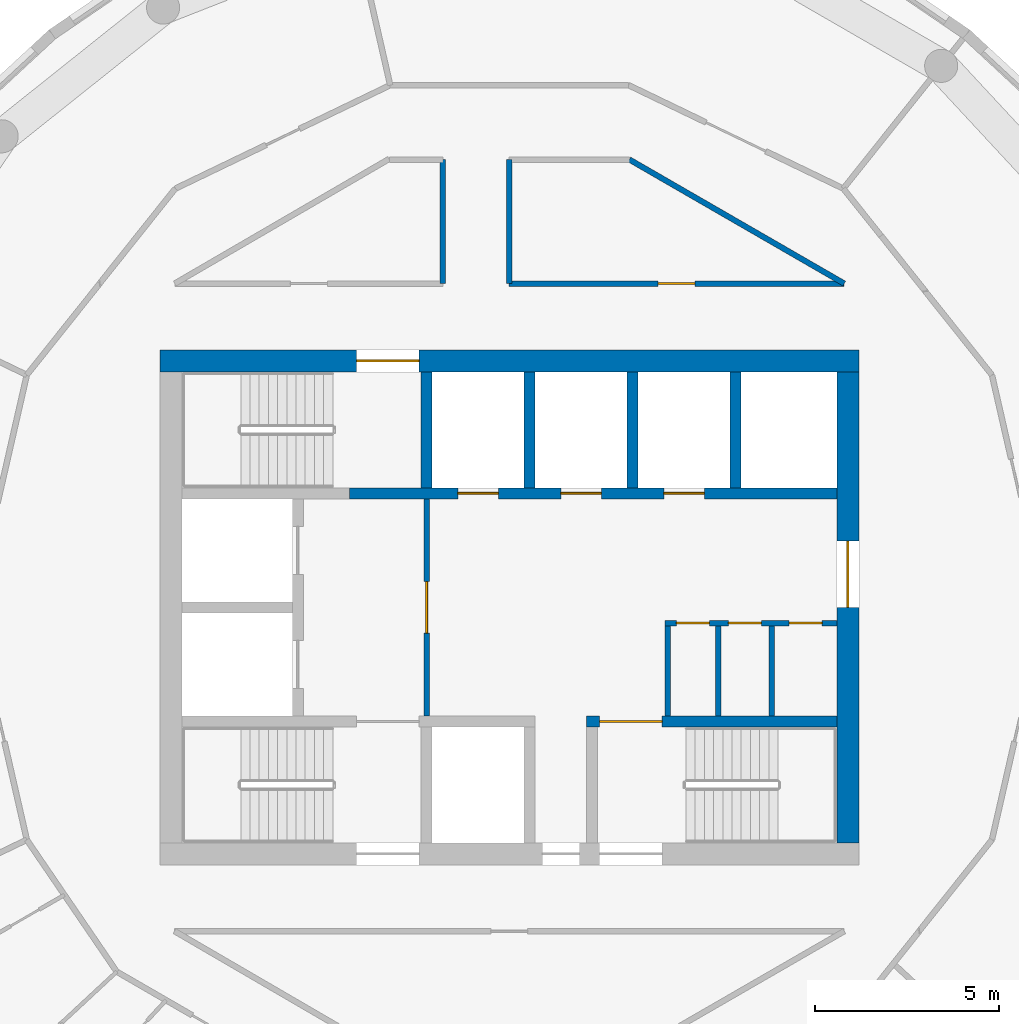
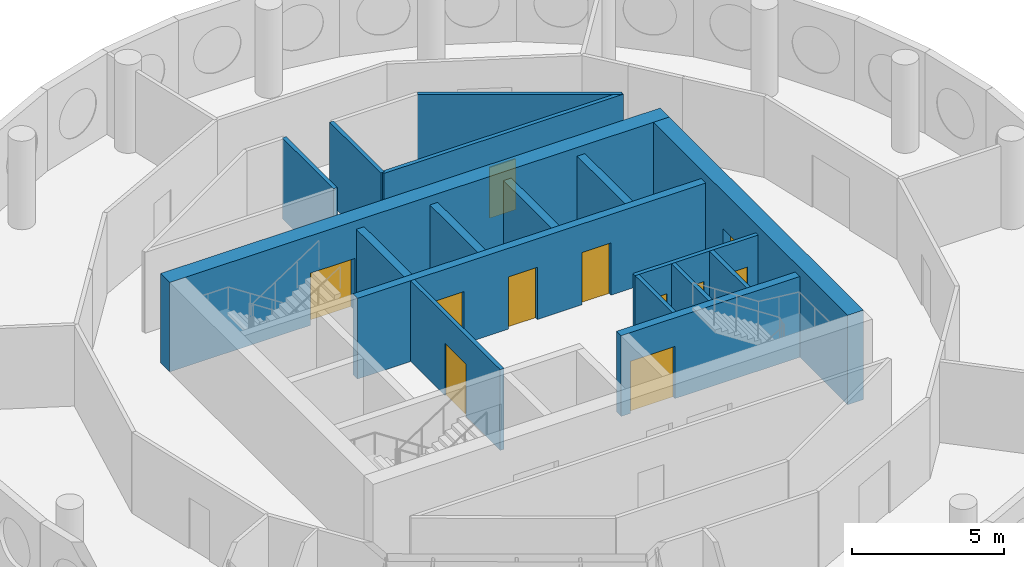
# One storey, part 7 of 12: 17 walls, 11 doors, 11 openings.
"""IFC4 building model written with IfcOpenShell, lengths in metres."""

from ifc_helpers import new_model, si_unit, direction, frame, frame_2d, origin, place, context, subcontext, project, spatial, rectangle, extrude, material, layer, layer_set, type_object, element, fill, save


model = new_model("IFC4")

# Units and contexts
model_context = context("Model", 3, precision=1e-05, world=origin(), true_north=direction((0.0, 1.0)))
body_context = subcontext(model_context, "Body", "Model", "MODEL_VIEW")
ifc_project = project(units=[si_unit("LENGTHUNIT", "METRE"), si_unit("AREAUNIT", "SQUARE_METRE"), si_unit("VOLUMEUNIT", "CUBIC_METRE"), si_unit("PLANEANGLEUNIT", "RADIAN"), si_unit("MASSUNIT", "GRAM", prefix="KILO")], contexts=[model_context])

# Site, building, storey
site_placement = place(None, origin())
site = spatial("IfcSite", under=ifc_project, at=site_placement, CompositionType="ELEMENT")
building_placement = place(site_placement, origin())
building = spatial("IfcBuilding", under=site, at=building_placement, Name="Tracery Tower", CompositionType="ELEMENT")
storey_placement = place(building_placement, frame((0.0, 0.0, 327.0)))
storey = spatial("IfcBuildingStorey", under=building, at=storey_placement, Name="L85", CompositionType="ELEMENT", Elevation=327.0)

# Wall, opening, door
ifc_material_1 = material(Name="Plasterboard on steel studs", Category="steel")
ifc_layer_1 = layer(ifc_material_1, 0.14990234375)
ifc_layer_set_1 = layer_set([ifc_layer_1], Name="Core lobby partition 150")
wall_type_1 = type_object("IfcWallType", Name="Core lobby partition 150", PredefinedType="SOLIDWALL", material=ifc_layer_set_1)
wall_1_placement = place(storey_placement, frame((-2.25, -2.949951171875, 0.0), z_axis=(0.0, 0.0, 1.0), x_axis=(0.0, 1.0, 0.0)))
wall_1 = element("IfcWall", 1, at=wall_1_placement, inside=storey, type_object=wall_type_1, Name="L85 FF lobby E", PredefinedType="SOLIDWALL", context=body_context, shape_type="SweptSolid", body=[
    extrude(rectangle(XDim=5.89990234375, YDim=0.14990234375, at=frame_2d((2.949951171875, 0.0))), origin(), (0.0, 0.0, 1.0), 3.25),
])
opening_1_placement = place(wall_1_placement, frame((2.25, 0.0, 0.0)))
opening_1 = element("IfcOpeningElement", 2, at=opening_1_placement, cuts=wall_1, Name="Opening KD8", PredefinedType="OPENING", context=body_context, shape_type="SweptSolid", body=[
    extrude(rectangle(XDim=1.39990234375, YDim=2.10009765625, at=frame_2d((0.699951171875, 1.050048828125))), frame((0.0, 0.074951171875, 0.0), z_axis=(0.0, -1.0, 0.0), x_axis=(1.0, 0.0, 0.0)), (0.0, 0.0, 1.0), 0.14990234375),
])
ifc_material_2 = material(Name="Steel fire door", Category="steel")
door_type_1 = type_object("IfcDoorType", Name="Core lobby door 1400 double", OperationType="NOTDEFINED", PredefinedType="DOOR", material=ifc_material_2)
door_1_placement = place(opening_1_placement, origin())
door_1 = element("IfcDoor", 3, at=door_1_placement, inside=storey, type_object=door_type_1, Name="Fire-fighting lobby door", OperationType="DOUBLE_DOOR_SINGLE_SWING", OverallHeight=2.10009765625, OverallWidth=1.39990234375, PredefinedType="DOOR", context=body_context, shape_type="SweptSolid", body=[
    extrude(rectangle(XDim=1.39990234375, YDim=2.10009765625, at=frame_2d((0.699951171875, 1.050048828125))), frame((0.0, 0.02490234375, 0.0), z_axis=(0.0, -1.0, 0.0), x_axis=(1.0, 0.0, 0.0)), (0.0, 0.0, 1.0), 0.050048828125),
])
fill(opening_1, door_1)

# Wall
ifc_material_3 = material(Name="Plasterboard on steel studs", Category="steel")
ifc_layer_2 = layer(ifc_material_3, 0.14990234375)
ifc_layer_set_2 = layer_set([ifc_layer_2], Name="Core room partition 150")
wall_type_2 = type_object("IfcWallType", Name="Core room partition 150", PredefinedType="SOLIDWALL", material=ifc_layer_set_2)
wall_2_placement = place(storey_placement, frame((4.300048828125, -2.949951171875, 0.0), z_axis=(0.0, 0.0, 1.0), x_axis=(0.0, 1.0, 0.0)))
element("IfcWall", 4, at=wall_2_placement, inside=storey, type_object=wall_type_2, Name="L85 slot W", PredefinedType="SOLIDWALL", context=body_context, shape_type="SweptSolid", body=[
    extrude(rectangle(XDim=2.449951171875, YDim=0.14990234375, at=frame_2d((1.22509765625, 0.0))), origin(), (0.0, 0.0, 1.0), 3.25),
])

# Wall, openings, doors
wall_3_placement = place(storey_placement, frame((4.22509765625, -0.425048828125, 0.0), z_axis=(0.0, 0.0, 1.0), x_axis=(1.0, 0.0, 0.0)))
wall_3 = element("IfcWall", 5, at=wall_3_placement, inside=storey, type_object=wall_type_2, Name="L85 slot N", PredefinedType="SOLIDWALL", context=body_context, shape_type="SweptSolid", body=[
    extrude(rectangle(XDim=4.6748046875, YDim=0.14990234375, at=frame_2d((2.33740234375, 0.0))), origin(), (0.0, 0.0, 1.0), 3.25),
])
opening_2_placement = place(wall_3_placement, frame((0.3125, 0.0, 0.0)))
opening_2 = element("IfcOpeningElement", 6, at=opening_2_placement, cuts=wall_3, Name="Opening KD32", PredefinedType="OPENING", context=body_context, shape_type="SweptSolid", body=[
    extrude(rectangle(XDim=0.89990234375, YDim=2.10009765625, at=frame_2d((0.449951171875, 1.050048828125))), frame((0.0, 0.074951171875, 0.0), z_axis=(0.0, -1.0, 0.0), x_axis=(1.0, 0.0, 0.0)), (0.0, 0.0, 1.0), 0.14990234375),
])
opening_3_placement = place(wall_3_placement, frame((1.72509765625, 0.0, 0.0)))
opening_3 = element("IfcOpeningElement", 7, at=opening_3_placement, cuts=wall_3, Name="Opening KD26", PredefinedType="OPENING", context=body_context, shape_type="SweptSolid", body=[
    extrude(rectangle(XDim=0.89990234375, YDim=2.10009765625, at=frame_2d((0.449951171875, 1.050048828125))), frame((0.0, 0.074951171875, 0.0), z_axis=(0.0, -1.0, 0.0), x_axis=(1.0, 0.0, 0.0)), (0.0, 0.0, 1.0), 0.14990234375),
])
opening_4_placement = place(wall_3_placement, frame((3.375, 0.0, 0.0)))
opening_4 = element("IfcOpeningElement", 8, at=opening_4_placement, cuts=wall_3, Name="Opening KD22", PredefinedType="OPENING", context=body_context, shape_type="SweptSolid", body=[
    extrude(rectangle(XDim=0.89990234375, YDim=2.10009765625, at=frame_2d((0.449951171875, 1.050048828125))), frame((0.0, 0.074951171875, 0.0), z_axis=(0.0, -1.0, 0.0), x_axis=(1.0, 0.0, 0.0)), (0.0, 0.0, 1.0), 0.14990234375),
])
ifc_material_4 = material(Name="Timber door leaf", Category="wood")
door_type_2 = type_object("IfcDoorType", Name="Core WC door 900", OperationType="NOTDEFINED", PredefinedType="DOOR", material=ifc_material_4)
door_2_placement = place(opening_4_placement, origin())
door_2 = element("IfcDoor", 9, at=door_2_placement, inside=storey, type_object=door_type_2, Name="Core door", OperationType="SINGLE_SWING_RIGHT", OverallHeight=2.10009765625, OverallWidth=0.89990234375, PredefinedType="DOOR", context=body_context, shape_type="SweptSolid", body=[
    extrude(rectangle(XDim=0.89990234375, YDim=2.10009765625, at=frame_2d((0.449951171875, 1.050048828125))), frame((0.0, 0.02490234375, 0.0), z_axis=(0.0, -1.0, 0.0), x_axis=(1.0, 0.0, 0.0)), (0.0, 0.0, 1.0), 0.050048828125),
])
fill(opening_4, door_2)
ifc_material_5 = material(Name="Steel fire door", Category="steel")
door_type_3 = type_object("IfcDoorType", Name="Core riser door 900", OperationType="NOTDEFINED", PredefinedType="DOOR", material=ifc_material_5)
door_3_placement = place(opening_2_placement, origin())
door_3 = element("IfcDoor", 10, at=door_3_placement, inside=storey, type_object=door_type_3, Name="Core door", OperationType="SINGLE_SWING_RIGHT", OverallHeight=2.10009765625, OverallWidth=0.89990234375, PredefinedType="DOOR", context=body_context, shape_type="SweptSolid", body=[
    extrude(rectangle(XDim=0.89990234375, YDim=2.10009765625, at=frame_2d((0.449951171875, 1.050048828125))), frame((0.0, 0.02490234375, 0.0), z_axis=(0.0, -1.0, 0.0), x_axis=(1.0, 0.0, 0.0)), (0.0, 0.0, 1.0), 0.050048828125),
])
fill(opening_2, door_3)
ifc_material_6 = material(Name="Timber door leaf", Category="wood")
door_type_4 = type_object("IfcDoorType", Name="Core store door 900", OperationType="NOTDEFINED", PredefinedType="DOOR", material=ifc_material_6)
door_4_placement = place(opening_3_placement, origin())
door_4 = element("IfcDoor", 11, at=door_4_placement, inside=storey, type_object=door_type_4, Name="Core door", OperationType="SINGLE_SWING_LEFT", OverallHeight=2.10009765625, OverallWidth=0.89990234375, PredefinedType="DOOR", context=body_context, shape_type="SweptSolid", body=[
    extrude(rectangle(XDim=0.89990234375, YDim=2.10009765625, at=frame_2d((0.449951171875, 1.050048828125))), frame((0.0, 0.02490234375, 0.0), z_axis=(0.0, -1.0, 0.0), x_axis=(1.0, 0.0, 0.0)), (0.0, 0.0, 1.0), 0.050048828125),
])
fill(opening_3, door_4)

# Walls
for number, where, z_axis, x_axis, name in (
    (12, (5.675048828125, -2.949951171875, 0.0), (0.0, 0.0, 1.0), (0.0, 1.0, 0.0), "L85 slot sep 1"),
    (13, (7.125, -2.949951171875, 0.0), (0.0, 0.0, 1.0), (0.0, 1.0, 0.0), "L85 slot sep 2"),
):
    element("IfcWall", number, at=place(storey_placement, frame(where, z_axis=z_axis, x_axis=x_axis)), inside=storey, type_object=wall_type_2, Name=name, PredefinedType="SOLIDWALL", context=body_context, shape_type="SweptSolid", body=[
        extrude(rectangle(XDim=2.449951171875, YDim=0.14990234375, at=frame_2d((1.22509765625, 0.0))), origin(), (0.0, 0.0, 1.0), 3.25),
    ])

# Wall, opening, door
ifc_material_7 = material(Name="Concrete C40/50", Category="concrete")
ifc_layer_3 = layer(ifc_material_7, 0.60009765625)
ifc_layer_set_3 = layer_set([ifc_layer_3], Name="Core wall 600 C40")
wall_type_3 = type_object("IfcWallType", Name="Core wall 600 C40", PredefinedType="SOLIDWALL", material=ifc_layer_set_3)
wall_4_placement = place(storey_placement, frame((-9.5, 6.699951171875, 0.0), z_axis=(0.0, 0.0, 1.0), x_axis=(1.0, 0.0, 0.0)))
wall_4 = element("IfcWall", 14, at=wall_4_placement, inside=storey, type_object=wall_type_3, Name="L85 outer N", PredefinedType="SOLIDWALL", context=body_context, shape_type="SweptSolid", body=[
    extrude(rectangle(XDim=19.0, YDim=0.60009765625, at=frame_2d((9.5, 0.0))), origin(), (0.0, 0.0, 1.0), 3.60009765625),
])
opening_5_placement = place(wall_4_placement, frame((5.35009765625, 0.0, 0.0)))
opening_5 = element("IfcOpeningElement", 15, at=opening_5_placement, cuts=wall_4, Name="Opening KD3", PredefinedType="OPENING", context=body_context, shape_type="SweptSolid", body=[
    extrude(rectangle(XDim=1.699951171875, YDim=2.10009765625, at=frame_2d((0.85009765625, 1.050048828125))), frame((0.0, 0.300048828125, 0.0), z_axis=(0.0, -1.0, 0.0), x_axis=(1.0, 0.0, 0.0)), (0.0, 0.0, 1.0), 0.60009765625),
])
ifc_material_8 = material(Name="Steel fire door", Category="steel")
door_type_5 = type_object("IfcDoorType", Name="Core stair door 1700 double", OperationType="NOTDEFINED", PredefinedType="DOOR", material=ifc_material_8)
door_5_placement = place(opening_5_placement, origin())
door_5 = element("IfcDoor", 16, at=door_5_placement, inside=storey, type_object=door_type_5, Name="Stair door ST3 exit", OperationType="DOUBLE_DOOR_SINGLE_SWING", OverallHeight=2.10009765625, OverallWidth=1.699951171875, PredefinedType="DOOR", context=body_context, shape_type="SweptSolid", body=[
    extrude(rectangle(XDim=1.699951171875, YDim=2.10009765625, at=frame_2d((0.85009765625, 1.050048828125))), frame((0.0, 0.02490234375, 0.0), z_axis=(0.0, -1.0, 0.0), x_axis=(1.0, 0.0, 0.0)), (0.0, 0.0, 1.0), 0.050048828125),
])
fill(opening_5, door_5)

wall_5_placement = place(storey_placement, frame((9.199951171875, -6.39990234375, 0.0), z_axis=(0.0, 0.0, 1.0), x_axis=(0.0, 1.0, 0.0)))
wall_5 = element("IfcWall", 17, at=wall_5_placement, inside=storey, type_object=wall_type_3, Name="L85 outer E", PredefinedType="SOLIDWALL", context=body_context, shape_type="SweptSolid", body=[
    extrude(rectangle(XDim=12.7998046875, YDim=0.60009765625, at=frame_2d((6.39990234375, 0.0))), origin(), (0.0, 0.0, 1.0), 3.60009765625),
])
opening_6_placement = place(wall_5_placement, frame((6.39990234375, 0.0, 0.0)))
opening_6 = element("IfcOpeningElement", 18, at=opening_6_placement, cuts=wall_5, Name="Opening KD13", PredefinedType="OPENING", context=body_context, shape_type="SweptSolid", body=[
    extrude(rectangle(XDim=1.800048828125, YDim=2.10009765625, at=frame_2d((0.89990234375, 1.050048828125))), frame((0.0, 0.300048828125, 0.0), z_axis=(0.0, -1.0, 0.0), x_axis=(1.0, 0.0, 0.0)), (0.0, 0.0, 1.0), 0.60009765625),
])
ifc_material_9 = material(Name="Steel fire door", Category="steel")
door_type_6 = type_object("IfcDoorType", Name="Core exit door 1800 double", OperationType="NOTDEFINED", PredefinedType="DOOR", material=ifc_material_9)
door_6_placement = place(opening_6_placement, origin())
door_6 = element("IfcDoor", 19, at=door_6_placement, inside=storey, type_object=door_type_6, Name="Core exit door", OperationType="DOUBLE_DOOR_SINGLE_SWING", OverallHeight=2.10009765625, OverallWidth=1.800048828125, PredefinedType="DOOR", context=body_context, shape_type="SweptSolid", body=[
    extrude(rectangle(XDim=1.800048828125, YDim=2.10009765625, at=frame_2d((0.89990234375, 1.050048828125))), frame((0.0, 0.02490234375, 0.0), z_axis=(0.0, -1.0, 0.0), x_axis=(1.0, 0.0, 0.0)), (0.0, 0.0, 1.0), 0.050048828125),
])
fill(opening_6, door_6)

ifc_material_10 = material(Name="Plasterboard on steel studs", Category="steel")
ifc_layer_4 = layer(ifc_material_10, 0.14990234375)
ifc_layer_set_4 = layer_set([ifc_layer_4], Name="Partition 150 corridor wall")
wall_type_4 = type_object("IfcWallType", Name="Partition 150 corridor wall", PredefinedType="PARTITIONING", material=ifc_layer_set_4)
wall_6_placement = place(storey_placement, frame((-0.013916015625, 8.800048828125, 0.0), z_axis=(0.0, 0.0, 1.0), x_axis=(1.0, 0.0, 0.0)))
wall_6 = element("IfcWall", 20, at=wall_6_placement, inside=storey, type_object=wall_type_4, Name="Corridor wall RC10-003", PredefinedType="PARTITIONING", context=body_context, shape_type="SweptSolid", body=[
    extrude(rectangle(XDim=9.114501953125, YDim=0.14990234375, at=frame_2d((4.55712890625, 0.0))), origin(), (0.0, 0.0, 1.0), 3.25),
])
opening_7_placement = place(wall_6_placement, frame((4.052978515625, 0.0, 0.0)))
opening_7 = element("IfcOpeningElement", 21, at=opening_7_placement, cuts=wall_6, Name="Opening RC10-02", PredefinedType="OPENING", context=body_context, shape_type="SweptSolid", body=[
    extrude(rectangle(XDim=1.0, YDim=2.0400390625, at=frame_2d((0.5, 1.02001953125))), frame((0.0, 0.074951171875, 0.0), z_axis=(0.0, -1.0, 0.0), x_axis=(1.0, 0.0, 0.0)), (0.0, 0.0, 1.0), 0.14990234375),
])
ifc_material_11 = material(Name="Timber door leaf", Category="wood")
door_type_7 = type_object("IfcDoorType", Name="Door communal room 1000", OperationType="NOTDEFINED", PredefinedType="DOOR", material=ifc_material_11)
door_7_placement = place(opening_7_placement, origin())
door_7 = element("IfcDoor", 22, at=door_7_placement, inside=storey, type_object=door_type_7, Name="Communal room door RC10-02", OperationType="SINGLE_SWING_RIGHT", OverallHeight=2.0400390625, OverallWidth=1.0, PredefinedType="DOOR", context=body_context, shape_type="SweptSolid", body=[
    extrude(rectangle(XDim=1.0, YDim=2.0400390625, at=frame_2d((0.5, 1.02001953125))), frame((0.0, 0.02490234375, 0.0), z_axis=(0.0, -1.0, 0.0), x_axis=(1.0, 0.0, 0.0)), (0.0, 0.0, 1.0), 0.050048828125),
])
fill(opening_7, door_7)

# Walls
wall_7_placement = place(storey_placement, frame((-1.81005859375, 8.800048828125, 0.0), z_axis=(0.0, 0.0, 1.0), x_axis=(0.0, 1.0, 0.0)))
element("IfcWall", 23, at=wall_7_placement, inside=storey, type_object=wall_type_4, Name="Corridor wall RC10-020", PredefinedType="PARTITIONING", context=body_context, shape_type="SweptSolid", body=[
    extrude(rectangle(XDim=3.370849609375, YDim=0.14990234375, at=frame_2d((1.685546875, 0.0))), origin(), (0.0, 0.0, 1.0), 3.25),
])
wall_8_placement = place(storey_placement, frame((3.260986328125, 12.1708984375, 0.0), z_axis=(0.0, 0.0, 1.0), x_axis=(0.866066809554, -0.499928276245, 0.0)))
element("IfcWall", 24, at=wall_8_placement, inside=storey, type_object=wall_type_4, Name="Corridor wall RC10-022", PredefinedType="PARTITIONING", context=body_context, shape_type="SweptSolid", body=[
    extrude(rectangle(XDim=6.74267578125, YDim=0.14990234375, at=frame_2d((3.371337890625, 0.0))), origin(), (0.0, 0.0, 1.0), 3.25),
])
wall_9_placement = place(storey_placement, frame((-0.010009765625, 8.800048828125, 0.0), z_axis=(0.0, 0.0, 1.0), x_axis=(0.0, 1.0, 0.0)))
element("IfcWall", 25, at=wall_9_placement, inside=storey, type_object=wall_type_4, Name="Corridor wall RC10-024", PredefinedType="PARTITIONING", context=body_context, shape_type="SweptSolid", body=[
    extrude(rectangle(XDim=3.370849609375, YDim=0.14990234375, at=frame_2d((1.685546875, 0.0))), origin(), (0.0, 0.0, 1.0), 3.25),
])
ifc_material_12 = material(Name="Concrete C40/50", Category="concrete")
ifc_layer_5 = layer(ifc_material_12, 0.300048828125)
ifc_layer_set_5 = layer_set([ifc_layer_5], Name="Shaft wall 300 C40")
wall_type_5 = type_object("IfcWallType", Name="Shaft wall 300 C40", PredefinedType="SOLIDWALL", material=ifc_layer_set_5)
for number, where, z_axis, x_axis, name in (
    (26, (0.550048828125, 3.25, 0.0), (0.0, 0.0, 1.0), (0.0, 1.0, 0.0), "L85 HR sep 1"),
    (27, (3.35009765625, 3.25, 0.0), (0.0, 0.0, 1.0), (0.0, 1.0, 0.0), "L85 HR sep 2"),
    (28, (6.14990234375, 3.25, 0.0), (0.0, 0.0, 1.0), (0.0, 1.0, 0.0), "L85 HR sep 3"),
):
    element("IfcWall", number, at=place(storey_placement, frame(where, z_axis=z_axis, x_axis=x_axis)), inside=storey, type_object=wall_type_5, Name=name, PredefinedType="SOLIDWALL", context=body_context, shape_type="SweptSolid", body=[
        extrude(rectangle(XDim=3.14990234375, YDim=0.300048828125, at=frame_2d((1.574951171875, 0.0))), origin(), (0.0, 0.0, 1.0), 3.25),
    ])

# Wall, opening, door
ifc_material_13 = material(Name="Concrete C40/50", Category="concrete")
ifc_layer_6 = layer(ifc_material_13, 0.300048828125)
ifc_layer_set_6 = layer_set([ifc_layer_6], Name="Stair wall 300 C40")
wall_type_6 = type_object("IfcWallType", Name="Stair wall 300 C40", PredefinedType="SOLIDWALL", material=ifc_layer_set_6)
wall_10_placement = place(storey_placement, frame((2.10009765625, -3.10009765625, 0.0), z_axis=(0.0, 0.0, 1.0), x_axis=(1.0, 0.0, 0.0)))
wall_10 = element("IfcWall", 29, at=wall_10_placement, inside=storey, type_object=wall_type_6, Name="L85 row S E", PredefinedType="SOLIDWALL", context=body_context, shape_type="SweptSolid", body=[
    extrude(rectangle(XDim=6.7998046875, YDim=0.300048828125, at=frame_2d((3.39990234375, 0.0))), origin(), (0.0, 0.0, 1.0), 3.25),
])
opening_8_placement = place(wall_10_placement, frame((0.35009765625, 0.0, 0.0)))
opening_8 = element("IfcOpeningElement", 30, at=opening_8_placement, cuts=wall_10, Name="Opening KD3", PredefinedType="OPENING", context=body_context, shape_type="SweptSolid", body=[
    extrude(rectangle(XDim=1.699951171875, YDim=2.10009765625, at=frame_2d((0.85009765625, 1.050048828125))), frame((0.0, 0.14990234375, 0.0), z_axis=(0.0, -1.0, 0.0), x_axis=(1.0, 0.0, 0.0)), (0.0, 0.0, 1.0), 0.300048828125),
])
door_8_placement = place(opening_8_placement, origin())
door_8 = element("IfcDoor", 31, at=door_8_placement, inside=storey, type_object=door_type_5, Name="Stair door ST2", OperationType="DOUBLE_DOOR_SINGLE_SWING", OverallHeight=2.10009765625, OverallWidth=1.699951171875, PredefinedType="DOOR", context=body_context, shape_type="SweptSolid", body=[
    extrude(rectangle(XDim=1.699951171875, YDim=2.10009765625, at=frame_2d((0.85009765625, 1.050048828125))), frame((0.0, 0.02490234375, 0.0), z_axis=(0.0, -1.0, 0.0), x_axis=(1.0, 0.0, 0.0)), (0.0, 0.0, 1.0), 0.050048828125),
])
fill(opening_8, door_8)

# Wall, openings, doors
wall_11_placement = place(storey_placement, frame((-4.35009765625, 3.10009765625, 0.0), z_axis=(0.0, 0.0, 1.0), x_axis=(1.0, 0.0, 0.0)))
wall_11 = element("IfcWall", 32, at=wall_11_placement, inside=storey, type_object=wall_type_6, Name="L85 row N", PredefinedType="SOLIDWALL", context=body_context, shape_type="SweptSolid", body=[
    extrude(rectangle(XDim=13.25, YDim=0.300048828125, at=frame_2d((6.625, 0.0))), origin(), (0.0, 0.0, 1.0), 3.25),
])
opening_9_placement = place(wall_11_placement, frame((2.949951171875, 0.0, 0.0)))
opening_9 = element("IfcOpeningElement", 33, at=opening_9_placement, cuts=wall_11, Name="Opening KD49", PredefinedType="OPENING", context=body_context, shape_type="SweptSolid", body=[
    extrude(rectangle(XDim=1.10009765625, YDim=2.10009765625, at=frame_2d((0.550048828125, 1.050048828125))), frame((0.0, 0.14990234375, 0.0), z_axis=(0.0, -1.0, 0.0), x_axis=(1.0, 0.0, 0.0)), (0.0, 0.0, 1.0), 0.300048828125),
])
opening_10_placement = place(wall_11_placement, frame((5.75, 0.0, 0.0)))
opening_10 = element("IfcOpeningElement", 34, at=opening_10_placement, cuts=wall_11, Name="Opening KD50", PredefinedType="OPENING", context=body_context, shape_type="SweptSolid", body=[
    extrude(rectangle(XDim=1.10009765625, YDim=2.10009765625, at=frame_2d((0.550048828125, 1.050048828125))), frame((0.0, 0.14990234375, 0.0), z_axis=(0.0, -1.0, 0.0), x_axis=(1.0, 0.0, 0.0)), (0.0, 0.0, 1.0), 0.300048828125),
])
opening_11_placement = place(wall_11_placement, frame((8.550048828125, 0.0, 0.0)))
opening_11 = element("IfcOpeningElement", 35, at=opening_11_placement, cuts=wall_11, Name="Opening KD49", PredefinedType="OPENING", context=body_context, shape_type="SweptSolid", body=[
    extrude(rectangle(XDim=1.10009765625, YDim=2.10009765625, at=frame_2d((0.550048828125, 1.050048828125))), frame((0.0, 0.14990234375, 0.0), z_axis=(0.0, -1.0, 0.0), x_axis=(1.0, 0.0, 0.0)), (0.0, 0.0, 1.0), 0.300048828125),
])
ifc_material_14 = material(Name="Steel fire door", Category="steel")
door_type_8 = type_object("IfcDoorType", Name="Landing door 1100", OperationType="NOTDEFINED", PredefinedType="DOOR", material=ifc_material_14)
door_9_placement = place(opening_9_placement, origin())
door_9 = element("IfcDoor", 36, at=door_9_placement, inside=storey, type_object=door_type_8, Name="Landing door HR1", OperationType="SLIDING_TO_LEFT", OverallHeight=2.10009765625, OverallWidth=1.10009765625, PredefinedType="DOOR", context=body_context, shape_type="SweptSolid", body=[
    extrude(rectangle(XDim=1.10009765625, YDim=2.10009765625, at=frame_2d((0.550048828125, 1.050048828125))), frame((0.0, 0.02490234375, 0.0), z_axis=(0.0, -1.0, 0.0), x_axis=(1.0, 0.0, 0.0)), (0.0, 0.0, 1.0), 0.050048828125),
])
fill(opening_9, door_9)
door_10_placement = place(opening_10_placement, origin())
door_10 = element("IfcDoor", 37, at=door_10_placement, inside=storey, type_object=door_type_8, Name="Landing door HR2", OperationType="SLIDING_TO_RIGHT", OverallHeight=2.10009765625, OverallWidth=1.10009765625, PredefinedType="DOOR", context=body_context, shape_type="SweptSolid", body=[
    extrude(rectangle(XDim=1.10009765625, YDim=2.10009765625, at=frame_2d((0.550048828125, 1.050048828125))), frame((0.0, 0.02490234375, 0.0), z_axis=(0.0, -1.0, 0.0), x_axis=(1.0, 0.0, 0.0)), (0.0, 0.0, 1.0), 0.050048828125),
])
fill(opening_10, door_10)
door_11_placement = place(opening_11_placement, origin())
door_11 = element("IfcDoor", 38, at=door_11_placement, inside=storey, type_object=door_type_8, Name="Landing door HR3", OperationType="SLIDING_TO_LEFT", OverallHeight=2.10009765625, OverallWidth=1.10009765625, PredefinedType="DOOR", context=body_context, shape_type="SweptSolid", body=[
    extrude(rectangle(XDim=1.10009765625, YDim=2.10009765625, at=frame_2d((0.550048828125, 1.050048828125))), frame((0.0, 0.02490234375, 0.0), z_axis=(0.0, -1.0, 0.0), x_axis=(1.0, 0.0, 0.0)), (0.0, 0.0, 1.0), 0.050048828125),
])
fill(opening_11, door_11)

# Wall
wall_12_placement = place(storey_placement, frame((-2.25, 3.25, 0.0), z_axis=(0.0, 0.0, 1.0), x_axis=(0.0, 1.0, 0.0)))
element("IfcWall", 39, at=wall_12_placement, inside=storey, type_object=wall_type_6, Name="L85 ST3 E", PredefinedType="SOLIDWALL", context=body_context, shape_type="SweptSolid", body=[
    extrude(rectangle(XDim=3.14990234375, YDim=0.300048828125, at=frame_2d((1.574951171875, 0.0))), origin(), (0.0, 0.0, 1.0), 3.25),
])

save(model, "model.ifc")
